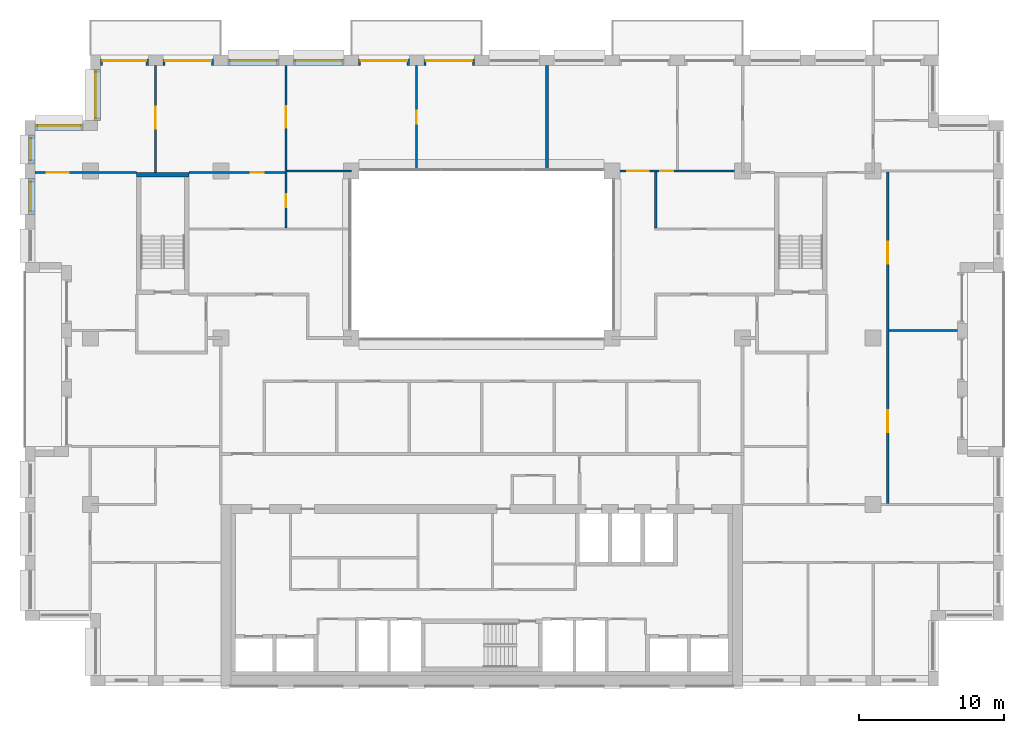
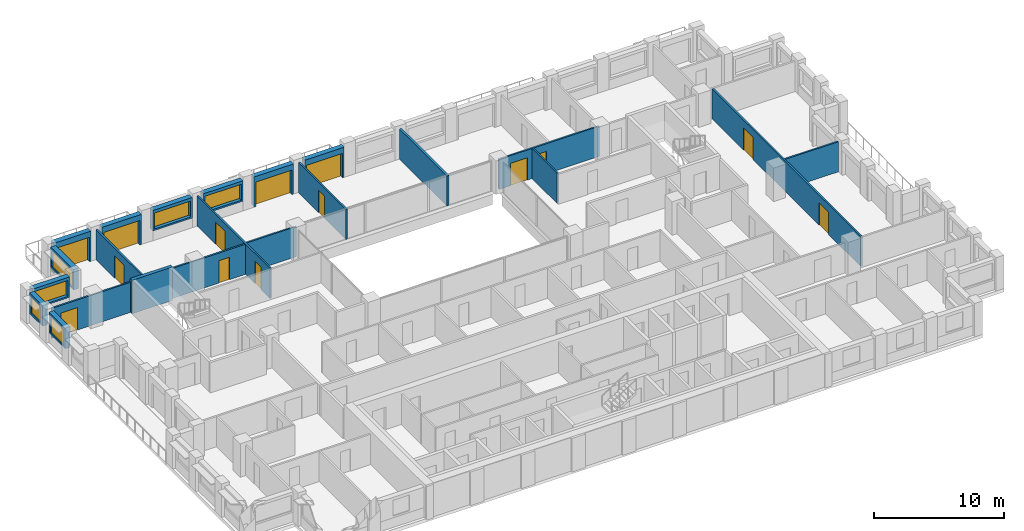
# One storey, part 12 of 15: 22 walls, 14 doors, 6 windows, 20 openings.
"""IFC4 building model written with IfcOpenShell, lengths in metres."""

from ifc_helpers import new_model, si_unit, direction, frame, frame_2d, origin, place, context, subcontext, project, spatial, rectangle, extrude, material, layer, layer_set, type_object, element, fill, save


model = new_model("IFC4")

# Units and contexts
model_context = context("Model", 3, precision=1e-05, world=origin(), true_north=direction((0.0, 1.0)))
body_context = subcontext(model_context, "Body", "Model", "MODEL_VIEW")
ifc_project = project(units=[si_unit("LENGTHUNIT", "METRE"), si_unit("AREAUNIT", "SQUARE_METRE"), si_unit("VOLUMEUNIT", "CUBIC_METRE"), si_unit("PLANEANGLEUNIT", "RADIAN"), si_unit("MASSUNIT", "GRAM", prefix="KILO")], contexts=[model_context])

# Site, building, storey
site_placement = place(None, origin())
site = spatial("IfcSite", under=ifc_project, at=site_placement, CompositionType="ELEMENT")
building_placement = place(site_placement, origin())
building = spatial("IfcBuilding", under=site, at=building_placement, Name="Brigalow Station Residences", CompositionType="ELEMENT")
storey_placement = place(building_placement, frame((0.0, 0.0, 153.89990234375)))
storey = spatial("IfcBuildingStorey", under=building, at=storey_placement, Name="L44", CompositionType="ELEMENT", Elevation=153.89990234375)

# Wall, opening, door
ifc_material_1 = material(Name="Clay brick masonry", Category="masonry")
ifc_layer_1 = layer(ifc_material_1, 0.449951171875)
ifc_layer_set_1 = layer_set([ifc_layer_1], Name="BRICK INFILL WALL 450")
wall_type_1 = type_object("IfcWallType", Name="BRICK INFILL WALL 450", PredefinedType="SOLIDWALL", material=ifc_layer_set_1)
wall_1_placement = place(storey_placement, frame((35.5, 43.02490234375, 0.0), z_axis=(0.0, 0.0, 1.0), x_axis=(-1.0, 0.0, 0.0)))
wall_1 = element("IfcWall", 1, at=wall_1_placement, inside=storey, type_object=wall_type_1, Name="L44/ewall/W-L44-29", PredefinedType="SOLIDWALL", context=body_context, shape_type="SweptSolid", body=[
    extrude(rectangle(XDim=3.5, YDim=0.449951171875, at=frame_2d((1.75, 0.0))), origin(), (0.0, 0.0, 1.0), 2.830078125),
])
opening_1_placement = place(wall_1_placement, frame((0.14990234375, 0.0, 0.0)))
opening_1 = element("IfcOpeningElement", 2, at=opening_1_placement, cuts=wall_1, Name="Opening D-B3200", PredefinedType="OPENING", context=body_context, shape_type="SweptSolid", body=[
    extrude(rectangle(XDim=3.199951171875, YDim=2.300048828125, at=frame_2d((1.60009765625, 1.14990234375))), frame((0.0, 0.23486328125, 0.0), z_axis=(0.0, -1.0, 0.0), x_axis=(1.0, 0.0, 0.0)), (0.0, 0.0, 1.0), 0.469970703125),
])
ifc_material_2 = material(Name="Anodised aluminium frame with double glazing", Category="aluminium")
door_type_1 = type_object("IfcDoorType", Name="BALCONY SLIDING DOOR 3200x2300", OperationType="SLIDING_TO_LEFT", PredefinedType="DOOR", material=ifc_material_2)
door_1_placement = place(opening_1_placement, origin())
door_1 = element("IfcDoor", 3, at=door_1_placement, inside=storey, type_object=door_type_1, Name="L44/balcony-door/W-L44-29", OperationType="SLIDING_TO_LEFT", OverallHeight=2.300048828125, OverallWidth=3.199951171875, PredefinedType="DOOR", context=body_context, shape_type="SweptSolid", body=[
    extrude(rectangle(XDim=3.199951171875, YDim=2.300048828125, at=frame_2d((1.60009765625, 1.14990234375))), frame((0.0, -0.06982421875, 0.0), z_axis=(0.0, -1.0, 0.0), x_axis=(1.0, 0.0, 0.0)), (0.0, 0.0, 1.0), 0.050048828125),
])
fill(opening_1, door_1)

wall_2_placement = place(storey_placement, frame((31.0, 43.02490234375, 0.0), z_axis=(0.0, 0.0, 1.0), x_axis=(-1.0, 0.0, 0.0)))
wall_2 = element("IfcWall", 4, at=wall_2_placement, inside=storey, type_object=wall_type_1, Name="L44/ewall/W-L44-30", PredefinedType="SOLIDWALL", context=body_context, shape_type="SweptSolid", body=[
    extrude(rectangle(XDim=3.5, YDim=0.449951171875, at=frame_2d((1.75, 0.0))), origin(), (0.0, 0.0, 1.0), 2.830078125),
])
opening_2_placement = place(wall_2_placement, frame((0.14990234375, 0.0, 0.0)))
opening_2 = element("IfcOpeningElement", 5, at=opening_2_placement, cuts=wall_2, Name="Opening D-B3200", PredefinedType="OPENING", context=body_context, shape_type="SweptSolid", body=[
    extrude(rectangle(XDim=3.199951171875, YDim=2.300048828125, at=frame_2d((1.60009765625, 1.14990234375))), frame((0.0, 0.23486328125, 0.0), z_axis=(0.0, -1.0, 0.0), x_axis=(1.0, 0.0, 0.0)), (0.0, 0.0, 1.0), 0.469970703125),
])
door_2_placement = place(opening_2_placement, origin())
door_2 = element("IfcDoor", 6, at=door_2_placement, inside=storey, type_object=door_type_1, Name="L44/balcony-door/W-L44-30", OperationType="SLIDING_TO_LEFT", OverallHeight=2.300048828125, OverallWidth=3.199951171875, PredefinedType="DOOR", context=body_context, shape_type="SweptSolid", body=[
    extrude(rectangle(XDim=3.199951171875, YDim=2.300048828125, at=frame_2d((1.60009765625, 1.14990234375))), frame((0.0, -0.06982421875, 0.0), z_axis=(0.0, -1.0, 0.0), x_axis=(1.0, 0.0, 0.0)), (0.0, 0.0, 1.0), 0.050048828125),
])
fill(opening_2, door_2)

# Wall, opening, window
wall_3_placement = place(storey_placement, frame((26.5, 43.02490234375, 0.900146484375), z_axis=(0.0, 0.0, 1.0), x_axis=(-1.0, 0.0, 0.0)))
wall_3 = element("IfcWall", 7, at=wall_3_placement, inside=storey, type_object=wall_type_1, Name="L44/ewall/W-L44-31", PredefinedType="SOLIDWALL", context=body_context, shape_type="SweptSolid", body=[
    extrude(rectangle(XDim=3.5, YDim=0.449951171875, at=frame_2d((1.75, 0.0))), origin(), (0.0, 0.0, 1.0), 1.929931640625),
])
opening_3_placement = place(wall_3_placement, frame((0.14990234375, 0.0, 0.14990234375)))
opening_3 = element("IfcOpeningElement", 8, at=opening_3_placement, cuts=wall_3, Name="Opening WT-9", PredefinedType="OPENING", context=body_context, shape_type="SweptSolid", body=[
    extrude(rectangle(XDim=3.199951171875, YDim=1.5, at=frame_2d((1.60009765625, 0.75))), frame((0.0, 0.23486328125, 0.0), z_axis=(0.0, -1.0, 0.0), x_axis=(1.0, 0.0, 0.0)), (0.0, 0.0, 1.0), 0.469970703125),
])
ifc_material_3 = material(Name="Anodised aluminium frame with double glazing", Category="aluminium")
window_type_1 = type_object("IfcWindowType", Name="WINDOW 3200x1500", PartitioningType="SINGLE_PANEL", PredefinedType="WINDOW", material=ifc_material_3)
window_1_placement = place(opening_3_placement, origin())
window_1 = element("IfcWindow", 9, at=window_1_placement, inside=storey, type_object=window_type_1, Name="L44/window/W-L44-31", OverallHeight=1.5, OverallWidth=3.199951171875, PartitioningType="SINGLE_PANEL", PredefinedType="WINDOW", context=body_context, shape_type="SweptSolid", body=[
    extrude(rectangle(XDim=3.199951171875, YDim=1.5, at=frame_2d((1.60009765625, 0.75))), frame((0.0, -0.06494140625, 0.0), z_axis=(0.0, -1.0, 0.0), x_axis=(1.0, 0.0, 0.0)), (0.0, 0.0, 1.0), 0.06005859375),
])
fill(opening_3, window_1)

wall_4_placement = place(storey_placement, frame((22.0, 43.02490234375, 0.900146484375), z_axis=(0.0, 0.0, 1.0), x_axis=(-1.0, 0.0, 0.0)))
wall_4 = element("IfcWall", 10, at=wall_4_placement, inside=storey, type_object=wall_type_1, Name="L44/ewall/W-L44-32", PredefinedType="SOLIDWALL", context=body_context, shape_type="SweptSolid", body=[
    extrude(rectangle(XDim=3.5, YDim=0.449951171875, at=frame_2d((1.75, 0.0))), origin(), (0.0, 0.0, 1.0), 1.929931640625),
])
opening_4_placement = place(wall_4_placement, frame((0.14990234375, 0.0, 0.14990234375)))
opening_4 = element("IfcOpeningElement", 11, at=opening_4_placement, cuts=wall_4, Name="Opening WT-9", PredefinedType="OPENING", context=body_context, shape_type="SweptSolid", body=[
    extrude(rectangle(XDim=3.199951171875, YDim=1.5, at=frame_2d((1.60009765625, 0.75))), frame((0.0, 0.23486328125, 0.0), z_axis=(0.0, -1.0, 0.0), x_axis=(1.0, 0.0, 0.0)), (0.0, 0.0, 1.0), 0.469970703125),
])
window_2_placement = place(opening_4_placement, origin())
window_2 = element("IfcWindow", 12, at=window_2_placement, inside=storey, type_object=window_type_1, Name="L44/window/W-L44-32", OverallHeight=1.5, OverallWidth=3.199951171875, PartitioningType="SINGLE_PANEL", PredefinedType="WINDOW", context=body_context, shape_type="SweptSolid", body=[
    extrude(rectangle(XDim=3.199951171875, YDim=1.5, at=frame_2d((1.60009765625, 0.75))), frame((0.0, -0.06494140625, 0.0), z_axis=(0.0, -1.0, 0.0), x_axis=(1.0, 0.0, 0.0)), (0.0, 0.0, 1.0), 0.06005859375),
])
fill(opening_4, window_2)

# Wall, opening, door
wall_5_placement = place(storey_placement, frame((17.5, 43.02490234375, 0.0), z_axis=(0.0, 0.0, 1.0), x_axis=(-1.0, 0.0, 0.0)))
wall_5 = element("IfcWall", 13, at=wall_5_placement, inside=storey, type_object=wall_type_1, Name="L44/ewall/W-L44-33", PredefinedType="SOLIDWALL", context=body_context, shape_type="SweptSolid", body=[
    extrude(rectangle(XDim=3.5, YDim=0.449951171875, at=frame_2d((1.75, 0.0))), origin(), (0.0, 0.0, 1.0), 2.830078125),
])
opening_5_placement = place(wall_5_placement, frame((0.14990234375, 0.0, 0.0)))
opening_5 = element("IfcOpeningElement", 14, at=opening_5_placement, cuts=wall_5, Name="Opening D-B3200", PredefinedType="OPENING", context=body_context, shape_type="SweptSolid", body=[
    extrude(rectangle(XDim=3.199951171875, YDim=2.300048828125, at=frame_2d((1.60009765625, 1.14990234375))), frame((0.0, 0.23486328125, 0.0), z_axis=(0.0, -1.0, 0.0), x_axis=(1.0, 0.0, 0.0)), (0.0, 0.0, 1.0), 0.469970703125),
])
door_3_placement = place(opening_5_placement, origin())
door_3 = element("IfcDoor", 15, at=door_3_placement, inside=storey, type_object=door_type_1, Name="L44/balcony-door/W-L44-33", OperationType="SLIDING_TO_LEFT", OverallHeight=2.300048828125, OverallWidth=3.199951171875, PredefinedType="DOOR", context=body_context, shape_type="SweptSolid", body=[
    extrude(rectangle(XDim=3.199951171875, YDim=2.300048828125, at=frame_2d((1.60009765625, 1.14990234375))), frame((0.0, -0.06982421875, 0.0), z_axis=(0.0, -1.0, 0.0), x_axis=(1.0, 0.0, 0.0)), (0.0, 0.0, 1.0), 0.050048828125),
])
fill(opening_5, door_3)

wall_6_placement = place(storey_placement, frame((13.0, 43.02490234375, 0.0), z_axis=(0.0, 0.0, 1.0), x_axis=(-1.0, 0.0, 0.0)))
wall_6 = element("IfcWall", 16, at=wall_6_placement, inside=storey, type_object=wall_type_1, Name="L44/ewall/W-L44-34", PredefinedType="SOLIDWALL", context=body_context, shape_type="SweptSolid", body=[
    extrude(rectangle(XDim=3.300048828125, YDim=0.449951171875, at=frame_2d((1.64990234375, 0.0))), origin(), (0.0, 0.0, 1.0), 2.830078125),
])
opening_6_placement = place(wall_6_placement, frame((0.14990234375, 0.0, 0.0)))
opening_6 = element("IfcOpeningElement", 17, at=opening_6_placement, cuts=wall_6, Name="Opening D-B3000", PredefinedType="OPENING", context=body_context, shape_type="SweptSolid", body=[
    extrude(rectangle(XDim=3.0, YDim=2.300048828125, at=frame_2d((1.5, 1.14990234375))), frame((0.0, 0.23486328125, 0.0), z_axis=(0.0, -1.0, 0.0), x_axis=(1.0, 0.0, 0.0)), (0.0, 0.0, 1.0), 0.469970703125),
])
ifc_material_4 = material(Name="Anodised aluminium frame with double glazing", Category="aluminium")
door_type_2 = type_object("IfcDoorType", Name="BALCONY SLIDING DOOR 3000x2300", OperationType="SLIDING_TO_LEFT", PredefinedType="DOOR", material=ifc_material_4)
door_4_placement = place(opening_6_placement, origin())
door_4 = element("IfcDoor", 18, at=door_4_placement, inside=storey, type_object=door_type_2, Name="L44/balcony-door/W-L44-34", OperationType="SLIDING_TO_LEFT", OverallHeight=2.300048828125, OverallWidth=3.0, PredefinedType="DOOR", context=body_context, shape_type="SweptSolid", body=[
    extrude(rectangle(XDim=3.0, YDim=2.300048828125, at=frame_2d((1.5, 1.14990234375))), frame((0.0, -0.06982421875, 0.0), z_axis=(0.0, -1.0, 0.0), x_axis=(1.0, 0.0, 0.0)), (0.0, 0.0, 1.0), 0.050048828125),
])
fill(opening_6, door_4)

# Wall, opening, window
wall_7_placement = place(storey_placement, frame((9.47509765625, 42.5, 0.900146484375), z_axis=(0.0, 0.0, 1.0), x_axis=(0.0, -1.0, 0.0)))
wall_7 = element("IfcWall", 19, at=wall_7_placement, inside=storey, type_object=wall_type_1, Name="L44/ewall/W-L44-35", PredefinedType="SOLIDWALL", context=body_context, shape_type="SweptSolid", body=[
    extrude(rectangle(XDim=3.5, YDim=0.449951171875, at=frame_2d((1.75, 0.0))), origin(), (0.0, 0.0, 1.0), 1.929931640625),
])
opening_7_placement = place(wall_7_placement, frame((0.14990234375, 0.0, 0.14990234375)))
opening_7 = element("IfcOpeningElement", 20, at=opening_7_placement, cuts=wall_7, Name="Opening WT-9", PredefinedType="OPENING", context=body_context, shape_type="SweptSolid", body=[
    extrude(rectangle(XDim=3.199951171875, YDim=1.5, at=frame_2d((1.60009765625, 0.75))), frame((0.0, 0.23486328125, 0.0), z_axis=(0.0, -1.0, 0.0), x_axis=(1.0, 0.0, 0.0)), (0.0, 0.0, 1.0), 0.469970703125),
])
window_3_placement = place(opening_7_placement, origin())
window_3 = element("IfcWindow", 21, at=window_3_placement, inside=storey, type_object=window_type_1, Name="L44/window/W-L44-35", OverallHeight=1.5, OverallWidth=3.199951171875, PartitioningType="SINGLE_PANEL", PredefinedType="WINDOW", context=body_context, shape_type="SweptSolid", body=[
    extrude(rectangle(XDim=3.199951171875, YDim=1.5, at=frame_2d((1.60009765625, 0.75))), frame((0.0, -0.06494140625, 0.0), z_axis=(0.0, -1.0, 0.0), x_axis=(1.0, 0.0, 0.0)), (0.0, 0.0, 1.0), 0.06005859375),
])
fill(opening_7, window_3)

wall_8_placement = place(storey_placement, frame((8.5, 38.52490234375, 0.900146484375), z_axis=(0.0, 0.0, 1.0), x_axis=(-1.0, 0.0, 0.0)))
wall_8 = element("IfcWall", 22, at=wall_8_placement, inside=storey, type_object=wall_type_1, Name="L44/ewall/W-L44-36", PredefinedType="SOLIDWALL", context=body_context, shape_type="SweptSolid", body=[
    extrude(rectangle(XDim=3.300048828125, YDim=0.449951171875, at=frame_2d((1.64990234375, 0.0))), origin(), (0.0, 0.0, 1.0), 1.929931640625),
])
opening_8_placement = place(wall_8_placement, frame((0.14990234375, 0.0, 0.14990234375)))
opening_8 = element("IfcOpeningElement", 23, at=opening_8_placement, cuts=wall_8, Name="Opening WT-2", PredefinedType="OPENING", context=body_context, shape_type="SweptSolid", body=[
    extrude(rectangle(XDim=3.0, YDim=1.5, at=frame_2d((1.5, 0.75))), frame((0.0, 0.23486328125, 0.0), z_axis=(0.0, -1.0, 0.0), x_axis=(1.0, 0.0, 0.0)), (0.0, 0.0, 1.0), 0.469970703125),
])
ifc_material_5 = material(Name="Anodised aluminium frame with double glazing", Category="aluminium")
window_type_2 = type_object("IfcWindowType", Name="WINDOW 3000x1500", PartitioningType="SINGLE_PANEL", PredefinedType="WINDOW", material=ifc_material_5)
window_4_placement = place(opening_8_placement, origin())
window_4 = element("IfcWindow", 24, at=window_4_placement, inside=storey, type_object=window_type_2, Name="L44/window/W-L44-36", OverallHeight=1.5, OverallWidth=3.0, PartitioningType="SINGLE_PANEL", PredefinedType="WINDOW", context=body_context, shape_type="SweptSolid", body=[
    extrude(rectangle(XDim=3.0, YDim=1.5, at=frame_2d((1.5, 0.75))), frame((0.0, -0.06494140625, 0.0), z_axis=(0.0, -1.0, 0.0), x_axis=(1.0, 0.0, 0.0)), (0.0, 0.0, 1.0), 0.06005859375),
])
fill(opening_8, window_4)

wall_9_placement = place(storey_placement, frame((4.97509765625, 38.0, 0.900146484375), z_axis=(0.0, 0.0, 1.0), x_axis=(0.0, -1.0, 0.0)))
wall_9 = element("IfcWall", 25, at=wall_9_placement, inside=storey, type_object=wall_type_1, Name="L44/ewall/W-L44-37", PredefinedType="SOLIDWALL", context=body_context, shape_type="SweptSolid", body=[
    extrude(rectangle(XDim=2.0, YDim=0.449951171875, at=frame_2d((1.0, 0.0))), origin(), (0.0, 0.0, 1.0), 1.929931640625),
])
opening_9_placement = place(wall_9_placement, frame((0.25, 0.0, 0.14990234375)))
opening_9 = element("IfcOpeningElement", 26, at=opening_9_placement, cuts=wall_9, Name="Opening WT-1", PredefinedType="OPENING", context=body_context, shape_type="SweptSolid", body=[
    extrude(rectangle(XDim=1.5, YDim=1.5, at=frame_2d((0.75, 0.75))), frame((0.0, 0.23486328125, 0.0), z_axis=(0.0, -1.0, 0.0), x_axis=(1.0, 0.0, 0.0)), (0.0, 0.0, 1.0), 0.469970703125),
])
ifc_material_6 = material(Name="Anodised aluminium frame with double glazing", Category="aluminium")
window_type_3 = type_object("IfcWindowType", Name="WINDOW 1500x1500", PartitioningType="SINGLE_PANEL", PredefinedType="WINDOW", material=ifc_material_6)
window_5_placement = place(opening_9_placement, origin())
window_5 = element("IfcWindow", 27, at=window_5_placement, inside=storey, type_object=window_type_3, Name="L44/window/W-L44-37", OverallHeight=1.5, OverallWidth=1.5, PartitioningType="SINGLE_PANEL", PredefinedType="WINDOW", context=body_context, shape_type="SweptSolid", body=[
    extrude(rectangle(XDim=1.5, YDim=1.5, at=frame_2d((0.75, 0.75))), frame((0.0, -0.06494140625, 0.0), z_axis=(0.0, -1.0, 0.0), x_axis=(1.0, 0.0, 0.0)), (0.0, 0.0, 1.0), 0.06005859375),
])
fill(opening_9, window_5)

wall_10_placement = place(storey_placement, frame((4.97509765625, 35.0, 0.900146484375), z_axis=(0.0, 0.0, 1.0), x_axis=(0.0, -1.0, 0.0)))
wall_10 = element("IfcWall", 28, at=wall_10_placement, inside=storey, type_object=wall_type_1, Name="L44/ewall/W-L44-38", PredefinedType="SOLIDWALL", context=body_context, shape_type="SweptSolid", body=[
    extrude(rectangle(XDim=2.5, YDim=0.449951171875, at=frame_2d((1.25, 0.0))), origin(), (0.0, 0.0, 1.0), 1.929931640625),
])
opening_10_placement = place(wall_10_placement, frame((0.25, 0.0, 0.14990234375)))
opening_10 = element("IfcOpeningElement", 29, at=opening_10_placement, cuts=wall_10, Name="Opening WT-7", PredefinedType="OPENING", context=body_context, shape_type="SweptSolid", body=[
    extrude(rectangle(XDim=2.0, YDim=1.5, at=frame_2d((1.0, 0.75))), frame((0.0, 0.23486328125, 0.0), z_axis=(0.0, -1.0, 0.0), x_axis=(1.0, 0.0, 0.0)), (0.0, 0.0, 1.0), 0.469970703125),
])
ifc_material_7 = material(Name="Anodised aluminium frame with double glazing", Category="aluminium")
window_type_4 = type_object("IfcWindowType", Name="WINDOW 2000x1500", PartitioningType="SINGLE_PANEL", PredefinedType="WINDOW", material=ifc_material_7)
window_6_placement = place(opening_10_placement, origin())
window_6 = element("IfcWindow", 30, at=window_6_placement, inside=storey, type_object=window_type_4, Name="L44/window/W-L44-38", OverallHeight=1.5, OverallWidth=2.0, PartitioningType="SINGLE_PANEL", PredefinedType="WINDOW", context=body_context, shape_type="SweptSolid", body=[
    extrude(rectangle(XDim=2.0, YDim=1.5, at=frame_2d((1.0, 0.75))), frame((0.0, -0.06494140625, 0.0), z_axis=(0.0, -1.0, 0.0), x_axis=(1.0, 0.0, 0.0)), (0.0, 0.0, 1.0), 0.06005859375),
])
fill(opening_10, window_6)

# Wall
ifc_material_8 = material(Name="Concrete C65", Category="concrete")
ifc_layer_2 = layer(ifc_material_8, 0.300048828125)
ifc_layer_set_2 = layer_set([ifc_layer_2], Name="CORE SHEAR WALL 300 C65")
wall_type_2 = type_object("IfcWallType", Name="CORE SHEAR WALL 300 C65", PredefinedType="SHEAR", material=ifc_layer_set_2)
wall_11_placement = place(storey_placement, frame((12.199951171875, 35.25, 0.0), z_axis=(0.0, 0.0, 1.0), x_axis=(1.0, 0.0, 0.0)))
element("IfcWall", 31, at=wall_11_placement, inside=storey, type_object=wall_type_2, Name="CORE WALL ST-S1-N L44", PredefinedType="SHEAR", context=body_context, shape_type="SweptSolid", body=[
    extrude(rectangle(XDim=3.60009765625, YDim=0.300048828125, at=frame_2d((1.800048828125, 0.0))), origin(), (0.0, 0.0, 1.0), 3.150146484375),
])

# Wall, opening, door
ifc_material_9 = material(Name="Plasterboard on steel stud partition", Category="steel")
ifc_layer_3 = layer(ifc_material_9, 0.14990234375)
ifc_layer_set_3 = layer_set([ifc_layer_3], Name="FLAT PARTITION 150")
wall_type_3 = type_object("IfcWallType", Name="FLAT PARTITION 150", PredefinedType="PARTITIONING", material=ifc_layer_set_3)
wall_12_placement = place(storey_placement, frame((5.199951171875, 35.39990234375, 0.0), z_axis=(0.0, 0.0, 1.0), x_axis=(1.0, 0.0, 0.0)))
wall_12 = element("IfcWall", 32, at=wall_12_placement, inside=storey, type_object=wall_type_3, Name="PW-3B10", PredefinedType="PARTITIONING", context=body_context, shape_type="SweptSolid", body=[
    extrude(rectangle(XDim=7.0, YDim=0.14990234375, at=frame_2d((3.5, 0.0))), origin(), (0.0, 0.0, 1.0), 2.830078125),
])
opening_11_placement = place(wall_12_placement, frame((0.800048828125, 0.0, 0.0)))
opening_11 = element("IfcOpeningElement", 33, at=opening_11_placement, cuts=wall_12, Name="Opening D-3B10", PredefinedType="OPENING", context=body_context, shape_type="SweptSolid", body=[
    extrude(rectangle(XDim=1.5, YDim=2.10009765625, at=frame_2d((0.75, 1.050048828125))), frame((0.0, 0.0849609375, 0.0), z_axis=(0.0, -1.0, 0.0), x_axis=(1.0, 0.0, 0.0)), (0.0, 0.0, 1.0), 0.169921875),
])
ifc_material_10 = material(Name="Solid-core timber door leaf", Category="wood")
door_type_3 = type_object("IfcDoorType", Name="INTERNAL DOUBLE DOOR 1500 x 2100", OperationType="DOUBLE_DOOR_SINGLE_SWING", PredefinedType="DOOR", material=ifc_material_10)
door_5_placement = place(opening_11_placement, origin())
door_5 = element("IfcDoor", 34, at=door_5_placement, inside=storey, type_object=door_type_3, Name="D-3B10", OperationType="DOUBLE_DOOR_SINGLE_SWING", OverallHeight=2.10009765625, OverallWidth=1.5, PredefinedType="DOOR", context=body_context, shape_type="SweptSolid", body=[
    extrude(rectangle(XDim=1.5, YDim=2.10009765625, at=frame_2d((0.75, 1.050048828125))), frame((0.0, 0.02490234375, 0.0), z_axis=(0.0, -1.0, 0.0), x_axis=(1.0, 0.0, 0.0)), (0.0, 0.0, 1.0), 0.050048828125),
])
fill(opening_11, door_5)

wall_13_placement = place(storey_placement, frame((15.800048828125, 35.39990234375, 0.0), z_axis=(0.0, 0.0, 1.0), x_axis=(1.0, 0.0, 0.0)))
wall_13 = element("IfcWall", 35, at=wall_13_placement, inside=storey, type_object=wall_type_3, Name="PW-3B11", PredefinedType="PARTITIONING", context=body_context, shape_type="SweptSolid", body=[
    extrude(rectangle(XDim=6.625, YDim=0.14990234375, at=frame_2d((3.3125, 0.0))), origin(), (0.0, 0.0, 1.0), 2.830078125),
])
opening_12_placement = place(wall_13_placement, frame((4.27490234375, 0.0, 0.0)))
opening_12 = element("IfcOpeningElement", 36, at=opening_12_placement, cuts=wall_13, Name="Opening D-3B06", PredefinedType="OPENING", context=body_context, shape_type="SweptSolid", body=[
    extrude(rectangle(XDim=0.89990234375, YDim=2.10009765625, at=frame_2d((0.449951171875, 1.050048828125))), frame((0.0, 0.0849609375, 0.0), z_axis=(0.0, -1.0, 0.0), x_axis=(1.0, 0.0, 0.0)), (0.0, 0.0, 1.0), 0.169921875),
])
ifc_material_11 = material(Name="Solid-core timber door leaf", Category="wood")
door_type_4 = type_object("IfcDoorType", Name="INTERNAL DOOR 900 x 2100", OperationType="SINGLE_SWING_LEFT", PredefinedType="DOOR", material=ifc_material_11)
door_6_placement = place(opening_12_placement, frame((0.89990234375, 0.0, 0.0), z_axis=(0.0, 0.0, 1.0), x_axis=(-1.0, 0.0, 0.0)))
door_6 = element("IfcDoor", 37, at=door_6_placement, inside=storey, type_object=door_type_4, Name="D-3B06", OperationType="SINGLE_SWING_LEFT", OverallHeight=2.10009765625, OverallWidth=0.89990234375, PredefinedType="DOOR", context=body_context, shape_type="SweptSolid", body=[
    extrude(rectangle(XDim=0.89990234375, YDim=2.10009765625, at=frame_2d((0.449951171875, 1.050048828125))), frame((0.0, 0.02490234375, 0.0), z_axis=(0.0, -1.0, 0.0), x_axis=(1.0, 0.0, 0.0)), (0.0, 0.0, 1.0), 0.050048828125),
])
fill(opening_12, door_6)

# Wall
wall_14_placement = place(storey_placement, frame((22.574951171875, 35.5, 0.0), z_axis=(0.0, 0.0, 1.0), x_axis=(1.0, 0.0, 0.0)))
element("IfcWall", 38, at=wall_14_placement, inside=storey, type_object=wall_type_3, Name="PW-3B14", PredefinedType="PARTITIONING", context=body_context, shape_type="SweptSolid", body=[
    extrude(rectangle(XDim=4.425048828125, YDim=0.14990234375, at=frame_2d((2.21240234375, 0.0))), origin(), (0.0, 0.0, 1.0), 2.830078125),
])

# Wall, openings, doors
wall_15_placement = place(storey_placement, frame((45.0, 35.5, 0.0), z_axis=(0.0, 0.0, 1.0), x_axis=(1.0, 0.0, 0.0)))
wall_15 = element("IfcWall", 39, at=wall_15_placement, inside=storey, type_object=wall_type_3, Name="PW-3B15", PredefinedType="PARTITIONING", context=body_context, shape_type="SweptSolid", body=[
    extrude(rectangle(XDim=8.925048828125, YDim=0.14990234375, at=frame_2d((4.46240234375, 0.0))), origin(), (0.0, 0.0, 1.0), 2.830078125),
])
opening_13_placement = place(wall_15_placement, frame((3.300048828125, 0.0, 0.0)))
opening_13 = element("IfcOpeningElement", 40, at=opening_13_placement, cuts=wall_15, Name="Opening D-3B19", PredefinedType="OPENING", context=body_context, shape_type="SweptSolid", body=[
    extrude(rectangle(XDim=0.89990234375, YDim=2.10009765625, at=frame_2d((0.449951171875, 1.050048828125))), frame((0.0, 0.0849609375, 0.0), z_axis=(0.0, -1.0, 0.0), x_axis=(1.0, 0.0, 0.0)), (0.0, 0.0, 1.0), 0.169921875),
])
opening_14_placement = place(wall_15_placement, frame((1.02490234375, 0.0, 0.0)))
opening_14 = element("IfcOpeningElement", 41, at=opening_14_placement, cuts=wall_15, Name="Opening D-3B21", PredefinedType="OPENING", context=body_context, shape_type="SweptSolid", body=[
    extrude(rectangle(XDim=1.5, YDim=2.10009765625, at=frame_2d((0.75, 1.050048828125))), frame((0.0, 0.0849609375, 0.0), z_axis=(0.0, -1.0, 0.0), x_axis=(1.0, 0.0, 0.0)), (0.0, 0.0, 1.0), 0.169921875),
])
door_7_placement = place(opening_13_placement, frame((0.89990234375, 0.0, 0.0), z_axis=(0.0, 0.0, 1.0), x_axis=(-1.0, 0.0, 0.0)))
door_7 = element("IfcDoor", 42, at=door_7_placement, inside=storey, type_object=door_type_4, Name="D-3B19", OperationType="SINGLE_SWING_RIGHT", OverallHeight=2.10009765625, OverallWidth=0.89990234375, PredefinedType="DOOR", context=body_context, shape_type="SweptSolid", body=[
    extrude(rectangle(XDim=0.89990234375, YDim=2.10009765625, at=frame_2d((0.449951171875, 1.050048828125))), frame((0.0, 0.02490234375, 0.0), z_axis=(0.0, -1.0, 0.0), x_axis=(1.0, 0.0, 0.0)), (0.0, 0.0, 1.0), 0.050048828125),
])
fill(opening_13, door_7)
door_8_placement = place(opening_14_placement, origin())
door_8 = element("IfcDoor", 43, at=door_8_placement, inside=storey, type_object=door_type_3, Name="D-3B21", OperationType="DOUBLE_DOOR_SINGLE_SWING", OverallHeight=2.10009765625, OverallWidth=1.5, PredefinedType="DOOR", context=body_context, shape_type="SweptSolid", body=[
    extrude(rectangle(XDim=1.5, YDim=2.10009765625, at=frame_2d((0.75, 1.050048828125))), frame((0.0, 0.02490234375, 0.0), z_axis=(0.0, -1.0, 0.0), x_axis=(1.0, 0.0, 0.0)), (0.0, 0.0, 1.0), 0.050048828125),
])
fill(opening_14, door_8)

# Walls
wall_16_placement = place(storey_placement, frame((64.074951171875, 24.5, 0.0), z_axis=(0.0, 0.0, 1.0), x_axis=(1.0, 0.0, 0.0)))
element("IfcWall", 44, at=wall_16_placement, inside=storey, type_object=wall_type_3, Name="PW-3B18", PredefinedType="PARTITIONING", context=body_context, shape_type="SweptSolid", body=[
    extrude(rectangle(XDim=4.72509765625, YDim=0.14990234375, at=frame_2d((2.362548828125, 0.0))), origin(), (0.0, 0.0, 1.0), 2.830078125),
])
wall_17_placement = place(storey_placement, frame((48.0, 31.574951171875, 0.0), z_axis=(0.0, 0.0, 1.0), x_axis=(0.0, 1.0, 0.0)))
element("IfcWall", 45, at=wall_17_placement, inside=storey, type_object=wall_type_3, Name="PW-3B33", PredefinedType="PARTITIONING", context=body_context, shape_type="SweptSolid", body=[
    extrude(rectangle(XDim=3.85009765625, YDim=0.14990234375, at=frame_2d((1.925048828125, 0.0))), origin(), (0.0, 0.0, 1.0), 2.830078125),
])

# Wall, openings, doors
wall_18_placement = place(storey_placement, frame((22.5, 31.574951171875, 0.0), z_axis=(0.0, 0.0, 1.0), x_axis=(0.0, 1.0, 0.0)))
wall_18 = element("IfcWall", 46, at=wall_18_placement, inside=storey, type_object=wall_type_3, Name="PW-3B35", PredefinedType="PARTITIONING", context=body_context, shape_type="SweptSolid", body=[
    extrude(rectangle(XDim=11.22509765625, YDim=0.14990234375, at=frame_2d((5.612548828125, 0.0))), origin(), (0.0, 0.0, 1.0), 2.830078125),
])
opening_15_placement = place(wall_18_placement, frame((1.425048828125, 0.0, 0.0)))
opening_15 = element("IfcOpeningElement", 47, at=opening_15_placement, cuts=wall_18, Name="Opening D-3B05", PredefinedType="OPENING", context=body_context, shape_type="SweptSolid", body=[
    extrude(rectangle(XDim=0.89990234375, YDim=2.10009765625, at=frame_2d((0.449951171875, 1.050048828125))), frame((0.0, 0.0849609375, 0.0), z_axis=(0.0, -1.0, 0.0), x_axis=(1.0, 0.0, 0.0)), (0.0, 0.0, 1.0), 0.169921875),
])
opening_16_placement = place(wall_18_placement, frame((6.89990234375, 0.0, 0.0)))
opening_16 = element("IfcOpeningElement", 48, at=opening_16_placement, cuts=wall_18, Name="Opening D-3B08", PredefinedType="OPENING", context=body_context, shape_type="SweptSolid", body=[
    extrude(rectangle(XDim=1.5, YDim=2.10009765625, at=frame_2d((0.75, 1.050048828125))), frame((0.0, 0.0849609375, 0.0), z_axis=(0.0, -1.0, 0.0), x_axis=(1.0, 0.0, 0.0)), (0.0, 0.0, 1.0), 0.169921875),
])
door_9_placement = place(opening_15_placement, frame((0.89990234375, 0.0, 0.0), z_axis=(0.0, 0.0, 1.0), x_axis=(-1.0, 0.0, 0.0)))
door_9 = element("IfcDoor", 49, at=door_9_placement, inside=storey, type_object=door_type_4, Name="D-3B05", OperationType="SINGLE_SWING_RIGHT", OverallHeight=2.10009765625, OverallWidth=0.89990234375, PredefinedType="DOOR", context=body_context, shape_type="SweptSolid", body=[
    extrude(rectangle(XDim=0.89990234375, YDim=2.10009765625, at=frame_2d((0.449951171875, 1.050048828125))), frame((0.0, 0.02490234375, 0.0), z_axis=(0.0, -1.0, 0.0), x_axis=(1.0, 0.0, 0.0)), (0.0, 0.0, 1.0), 0.050048828125),
])
fill(opening_15, door_9)
door_10_placement = place(opening_16_placement, frame((1.5, 0.0, 0.0), z_axis=(0.0, 0.0, 1.0), x_axis=(-1.0, 0.0, 0.0)))
door_10 = element("IfcDoor", 50, at=door_10_placement, inside=storey, type_object=door_type_3, Name="D-3B08", OperationType="DOUBLE_DOOR_SINGLE_SWING", OverallHeight=2.10009765625, OverallWidth=1.5, PredefinedType="DOOR", context=body_context, shape_type="SweptSolid", body=[
    extrude(rectangle(XDim=1.5, YDim=2.10009765625, at=frame_2d((0.75, 1.050048828125))), frame((0.0, 0.02490234375, 0.0), z_axis=(0.0, -1.0, 0.0), x_axis=(1.0, 0.0, 0.0)), (0.0, 0.0, 1.0), 0.050048828125),
])
fill(opening_16, door_10)

# Wall, opening, door
wall_19_placement = place(storey_placement, frame((13.5, 35.39990234375, 0.0), z_axis=(0.0, 0.0, 1.0), x_axis=(0.0, 1.0, 0.0)))
wall_19 = element("IfcWall", 51, at=wall_19_placement, inside=storey, type_object=wall_type_3, Name="PW-3B38", PredefinedType="PARTITIONING", context=body_context, shape_type="SweptSolid", body=[
    extrude(rectangle(XDim=7.400146484375, YDim=0.14990234375, at=frame_2d((3.7001953125, 0.0))), origin(), (0.0, 0.0, 1.0), 2.830078125),
])
opening_17_placement = place(wall_19_placement, frame((3.02490234375, 0.0, 0.0)))
opening_17 = element("IfcOpeningElement", 52, at=opening_17_placement, cuts=wall_19, Name="Opening D-3B07", PredefinedType="OPENING", context=body_context, shape_type="SweptSolid", body=[
    extrude(rectangle(XDim=1.5, YDim=2.10009765625, at=frame_2d((0.75, 1.050048828125))), frame((0.0, 0.0849609375, 0.0), z_axis=(0.0, -1.0, 0.0), x_axis=(1.0, 0.0, 0.0)), (0.0, 0.0, 1.0), 0.169921875),
])
door_11_placement = place(opening_17_placement, origin())
door_11 = element("IfcDoor", 53, at=door_11_placement, inside=storey, type_object=door_type_3, Name="D-3B07", OperationType="DOUBLE_DOOR_SINGLE_SWING", OverallHeight=2.10009765625, OverallWidth=1.5, PredefinedType="DOOR", context=body_context, shape_type="SweptSolid", body=[
    extrude(rectangle(XDim=1.5, YDim=2.10009765625, at=frame_2d((0.75, 1.050048828125))), frame((0.0, 0.02490234375, 0.0), z_axis=(0.0, -1.0, 0.0), x_axis=(1.0, 0.0, 0.0)), (0.0, 0.0, 1.0), 0.050048828125),
])
fill(opening_17, door_11)

wall_20_placement = place(storey_placement, frame((31.5, 35.5, 0.0), z_axis=(0.0, 0.0, 1.0), x_axis=(0.0, 1.0, 0.0)))
wall_20 = element("IfcWall", 54, at=wall_20_placement, inside=storey, type_object=wall_type_3, Name="PW-3B40", PredefinedType="PARTITIONING", context=body_context, shape_type="SweptSolid", body=[
    extrude(rectangle(XDim=7.300048828125, YDim=0.14990234375, at=frame_2d((3.64990234375, 0.0))), origin(), (0.0, 0.0, 1.0), 2.830078125),
])
opening_18_placement = place(wall_20_placement, frame((3.27490234375, 0.0, 0.0)))
opening_18 = element("IfcOpeningElement", 55, at=opening_18_placement, cuts=wall_20, Name="Opening D-3B09", PredefinedType="OPENING", context=body_context, shape_type="SweptSolid", body=[
    extrude(rectangle(XDim=0.89990234375, YDim=2.10009765625, at=frame_2d((0.449951171875, 1.050048828125))), frame((0.0, 0.0849609375, 0.0), z_axis=(0.0, -1.0, 0.0), x_axis=(1.0, 0.0, 0.0)), (0.0, 0.0, 1.0), 0.169921875),
])
door_12_placement = place(opening_18_placement, frame((0.89990234375, 0.0, 0.0), z_axis=(0.0, 0.0, 1.0), x_axis=(-1.0, 0.0, 0.0)))
door_12 = element("IfcDoor", 56, at=door_12_placement, inside=storey, type_object=door_type_4, Name="D-3B09", OperationType="SINGLE_SWING_LEFT", OverallHeight=2.10009765625, OverallWidth=0.89990234375, PredefinedType="DOOR", context=body_context, shape_type="SweptSolid", body=[
    extrude(rectangle(XDim=0.89990234375, YDim=2.10009765625, at=frame_2d((0.449951171875, 1.050048828125))), frame((0.0, 0.02490234375, 0.0), z_axis=(0.0, -1.0, 0.0), x_axis=(1.0, 0.0, 0.0)), (0.0, 0.0, 1.0), 0.050048828125),
])
fill(opening_18, door_12)

# Wall, openings, doors
wall_21_placement = place(storey_placement, frame((64.0, 12.574951171875, 0.0), z_axis=(0.0, 0.0, 1.0), x_axis=(0.0, 1.0, 0.0)))
wall_21 = element("IfcWall", 57, at=wall_21_placement, inside=storey, type_object=wall_type_3, Name="PW-3B45", PredefinedType="PARTITIONING", context=body_context, shape_type="SweptSolid", body=[
    extrude(rectangle(XDim=22.85009765625, YDim=0.14990234375, at=frame_2d((11.425048828125, 0.0))), origin(), (0.0, 0.0, 1.0), 2.830078125),
])
opening_19_placement = place(wall_21_placement, frame((16.550048828125, 0.0, 0.0)))
opening_19 = element("IfcOpeningElement", 58, at=opening_19_placement, cuts=wall_21, Name="Opening D-3B27", PredefinedType="OPENING", context=body_context, shape_type="SweptSolid", body=[
    extrude(rectangle(XDim=1.5, YDim=2.10009765625, at=frame_2d((0.75, 1.050048828125))), frame((0.0, 0.0849609375, 0.0), z_axis=(0.0, -1.0, 0.0), x_axis=(1.0, 0.0, 0.0)), (0.0, 0.0, 1.0), 0.169921875),
])
opening_20_placement = place(wall_21_placement, frame((4.925048828125, 0.0, 0.0)))
opening_20 = element("IfcOpeningElement", 59, at=opening_20_placement, cuts=wall_21, Name="Opening D-3B28", PredefinedType="OPENING", context=body_context, shape_type="SweptSolid", body=[
    extrude(rectangle(XDim=1.5, YDim=2.10009765625, at=frame_2d((0.75, 1.050048828125))), frame((0.0, 0.0849609375, 0.0), z_axis=(0.0, -1.0, 0.0), x_axis=(1.0, 0.0, 0.0)), (0.0, 0.0, 1.0), 0.169921875),
])
door_13_placement = place(opening_19_placement, frame((1.5, 0.0, 0.0), z_axis=(0.0, 0.0, 1.0), x_axis=(-1.0, 0.0, 0.0)))
door_13 = element("IfcDoor", 60, at=door_13_placement, inside=storey, type_object=door_type_3, Name="D-3B27", OperationType="DOUBLE_DOOR_SINGLE_SWING", OverallHeight=2.10009765625, OverallWidth=1.5, PredefinedType="DOOR", context=body_context, shape_type="SweptSolid", body=[
    extrude(rectangle(XDim=1.5, YDim=2.10009765625, at=frame_2d((0.75, 1.050048828125))), frame((0.0, 0.02490234375, 0.0), z_axis=(0.0, -1.0, 0.0), x_axis=(1.0, 0.0, 0.0)), (0.0, 0.0, 1.0), 0.050048828125),
])
fill(opening_19, door_13)
door_14_placement = place(opening_20_placement, frame((1.5, 0.0, 0.0), z_axis=(0.0, 0.0, 1.0), x_axis=(-1.0, 0.0, 0.0)))
door_14 = element("IfcDoor", 61, at=door_14_placement, inside=storey, type_object=door_type_3, Name="D-3B28", OperationType="DOUBLE_DOOR_SINGLE_SWING", OverallHeight=2.10009765625, OverallWidth=1.5, PredefinedType="DOOR", context=body_context, shape_type="SweptSolid", body=[
    extrude(rectangle(XDim=1.5, YDim=2.10009765625, at=frame_2d((0.75, 1.050048828125))), frame((0.0, 0.02490234375, 0.0), z_axis=(0.0, -1.0, 0.0), x_axis=(1.0, 0.0, 0.0)), (0.0, 0.0, 1.0), 0.050048828125),
])
fill(opening_20, door_14)

# Wall
ifc_material_12 = material(Name="Plasterboard on steel stud partition", Category="steel")
ifc_layer_4 = layer(ifc_material_12, 0.199951171875)
ifc_layer_set_4 = layer_set([ifc_layer_4], Name="PARTY AND CORRIDOR WALL 200")
wall_type_4 = type_object("IfcWallType", Name="PARTY AND CORRIDOR WALL 200", PredefinedType="PARTITIONING", material=ifc_layer_set_4)
wall_22_placement = place(storey_placement, frame((40.5, 35.5, 0.0), z_axis=(0.0, 0.0, 1.0), x_axis=(0.0, 1.0, 0.0)))
element("IfcWall", 62, at=wall_22_placement, inside=storey, type_object=wall_type_4, Name="PW-3B41", PredefinedType="PARTITIONING", context=body_context, shape_type="SweptSolid", body=[
    extrude(rectangle(XDim=7.300048828125, YDim=0.199951171875, at=frame_2d((3.64990234375, 0.0))), origin(), (0.0, 0.0, 1.0), 2.830078125),
])

save(model, "model.ifc")
